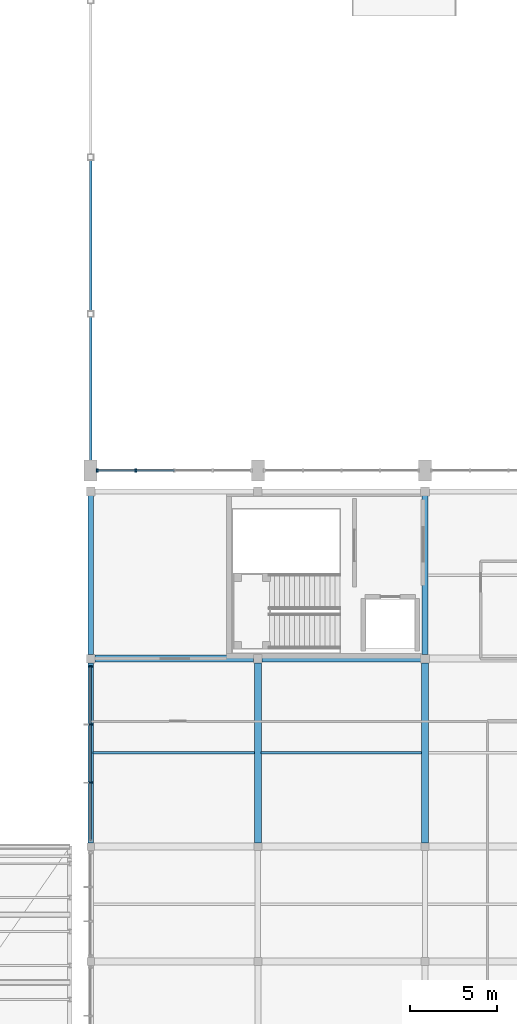
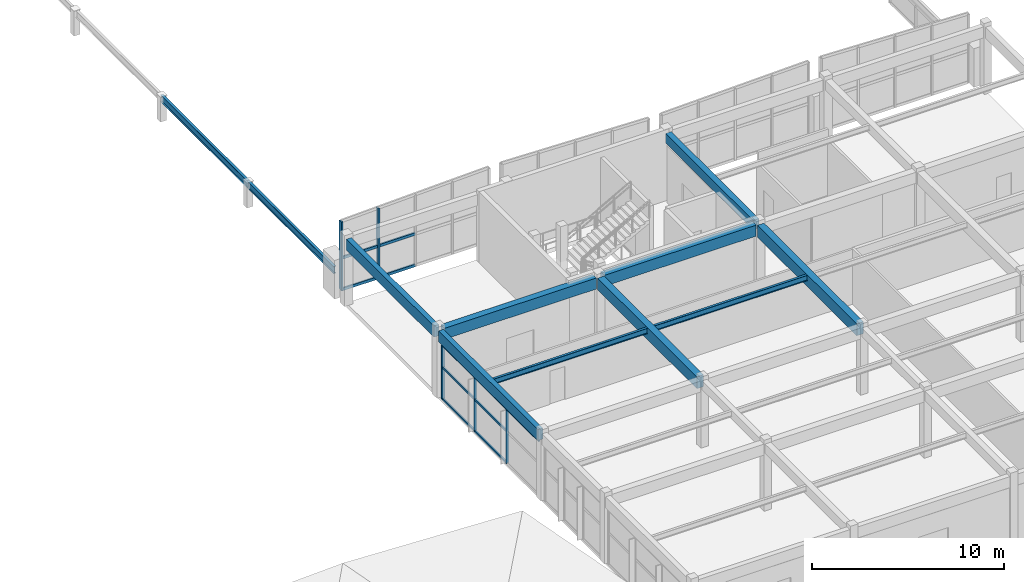
# One storey, part 39 of 89: 14 members, 11 beams, 2 elements without a shape of their own.
"""IFC4 building model written with IfcOpenShell, lengths in metres."""

import ifcopenshell
import ifcopenshell.guid

model = None  # the IFC model being written
_history = None  # IfcOwnerHistory: only IFC2X3 demands one
_inside = {}  # id of a spatial element -> (the spatial element, [elements in it])
_under = {}  # id of a project, library or spatial element -> (it, [spatial elements below it])
_declared = {}  # id of a project -> (the project, [libraries it declares])
_typed = {}  # id of a type object -> (the type object, [elements of that type])
_made_of = {}  # id of a material, layer set ... -> (it, [elements and type objects made of it])


def new_model(schema):
    """Start an empty IFC model of exactly this schema.

    Asked for "IFC4X3", IfcOpenShell would pick the latest addendum, in which some entities
    have other attributes; the version numbers below select the first issue.
    IFC2X3 requires an IfcOwnerHistory on every rooted entity: one is made here for all.
    """
    global model, _history
    if schema == "IFC4X3":
        model = ifcopenshell.file(schema_version=(4, 3, 0, 0))
    else:
        model = ifcopenshell.file(schema=schema)
    _inside.clear()
    _under.clear()
    _declared.clear()
    _typed.clear()
    _made_of.clear()
    _history = None
    if model.schema == "IFC2X3":
        org = make("IfcOrganization", Name="unknown")
        user = make(
            "IfcPersonAndOrganization",
            ThePerson=make("IfcPerson", FamilyName="unknown"),
            TheOrganization=org,
        )
        app = make(
            "IfcApplication",
            ApplicationDeveloper=org,
            Version="unknown",
            ApplicationFullName="unknown",
            ApplicationIdentifier="unknown",
        )
        _history = make(
            "IfcOwnerHistory",
            OwningUser=user,
            OwningApplication=app,
            ChangeAction="ADDED",
            CreationDate=0,
        )
    return model


def make(cls, **values):
    """One entity of the class cls with the attributes given. An attribute that is None is left unset."""
    return model.create_entity(
        cls, **{name: value for name, value in values.items() if value is not None}
    )


def rooted(cls, **values):
    """An entity with a GlobalId (a new one), such as an element, a storey or a relation."""
    return make(cls, GlobalId=ifcopenshell.guid.new(), OwnerHistory=_history, **values)


def si_unit(unit_type, name, prefix=None):
    """IfcSIUnit, for example si_unit("LENGTHUNIT", "METRE", prefix="MILLI")."""
    return make("IfcSIUnit", UnitType=unit_type, Prefix=prefix, Name=name)


def assignment(units):
    """IfcUnitAssignment: the units of a project."""
    return None if units is None else make("IfcUnitAssignment", Units=units)


def point(xyz):
    """IfcCartesianPoint."""
    return None if xyz is None else make("IfcCartesianPoint", Coordinates=xyz)


def direction(xyz):
    """IfcDirection."""
    return None if xyz is None else make("IfcDirection", DirectionRatios=xyz)


def frame(location, z_axis=None, x_axis=None):
    """IfcAxis2Placement3D, a coordinate frame: its origin and axes. An axis left out is left unset."""
    return make(
        "IfcAxis2Placement3D",
        Location=point(location),
        Axis=direction(z_axis),
        RefDirection=direction(x_axis),
    )


def frame_2d(location, x_axis=None):
    """IfcAxis2Placement2D, a coordinate frame in the plane: its origin and x axis."""
    return make(
        "IfcAxis2Placement2D", Location=point(location), RefDirection=direction(x_axis)
    )


def origin():
    """The frame at (0, 0, 0) with its axes left unset."""
    return frame((0.0, 0.0, 0.0))


def origin_2d():
    """The frame at (0, 0) in the plane with its x axis left unset."""
    return frame_2d((0.0, 0.0))


def place(relative_to, where):
    """IfcLocalPlacement: puts the frame where relative to a parent placement (None: the world)."""
    return make(
        "IfcLocalPlacement", PlacementRelTo=relative_to, RelativePlacement=where
    )


def context(
    kind, dimensions, precision=None, world=None, true_north=None, identifier=None
):
    """IfcGeometricRepresentationContext, for example the 3D "Model" context."""
    return make(
        "IfcGeometricRepresentationContext",
        ContextIdentifier=identifier,
        ContextType=kind,
        CoordinateSpaceDimension=dimensions,
        Precision=precision,
        WorldCoordinateSystem=world,
        TrueNorth=true_north,
    )


def subcontext(parent, identifier, kind, view, scale=None):
    """IfcGeometricRepresentationSubContext, for example "Body" below "Model"."""
    return make(
        "IfcGeometricRepresentationSubContext",
        ContextIdentifier=identifier,
        ContextType=kind,
        ParentContext=parent,
        TargetScale=scale,
        TargetView=view,
    )


def project(units=None, contexts=None):
    """IfcProject with its units and contexts."""
    return rooted(
        "IfcProject",
        Name="project",
        RepresentationContexts=contexts,
        UnitsInContext=assignment(units),
    )


def spatial(cls, under=None, at=None, **own):
    """A site, building, storey or space (cls), placed at a placement, below another one or the project."""
    s = rooted(cls, ObjectPlacement=at, **own)
    if under is not None:
        _under.setdefault(under.id(), (under, []))[1].append(s)
    return s


def profile(cls, at=None, kind="AREA", **sizes):
    """A parametric profile (cls). Its sizes go by their IFC names, for example OverallWidth=200.0."""
    return make(cls, ProfileType=kind, Position=at, **sizes)


def rectangle(**sizes):
    """IfcRectangleProfileDef."""
    return profile("IfcRectangleProfileDef", **sizes)


def i_section(**sizes):
    """IfcIShapeProfileDef."""
    return profile("IfcIShapeProfileDef", **sizes)


def extrude(swept, where, along, depth):
    """IfcExtrudedAreaSolid: the profile swept, set in the frame where, extruded along a direction by depth."""
    return make(
        "IfcExtrudedAreaSolid",
        SweptArea=swept,
        Position=where,
        ExtrudedDirection=direction(along),
        Depth=depth,
    )


def shape(context_of_items, identifier, shape_type, items):
    """IfcShapeRepresentation: the items that make up one representation, for example the "Body"."""
    return make(
        "IfcShapeRepresentation",
        ContextOfItems=context_of_items,
        RepresentationIdentifier=identifier,
        RepresentationType=shape_type,
        Items=items,
    )


def material(Name=None, Category=None):
    """IfcMaterial."""
    return make("IfcMaterial", Name=Name, Category=Category)


def material_profile(
    of_material, cross_section, Name=None, Category=None, Priority=None
):
    """IfcMaterialProfile: a cross section and its material."""
    return make(
        "IfcMaterialProfile",
        Name=Name,
        Material=of_material,
        Profile=cross_section,
        Priority=Priority,
        Category=Category,
    )


def profile_set(profiles, Name=None, composite=None):
    """IfcMaterialProfileSet."""
    return make(
        "IfcMaterialProfileSet",
        Name=Name,
        MaterialProfiles=profiles,
        CompositeProfile=composite,
    )


def made_of(thing, what):
    """Note that an element or type object is made of a material, layer set ...; save() writes the relation."""
    if what is not None:
        _made_of.setdefault(what.id(), (what, []))[1].append(thing)
    return thing


def type_object(cls, material=None, **own):
    """A type object (cls), such as IfcWallType, which elements share."""
    return made_of(rooted(cls, **own), material)


def element(
    cls,
    number,
    at=None,
    inside=None,
    cuts=None,
    type_object=None,
    material=None,
    context=None,
    identifier="Body",
    shape_type=None,
    held_by="IfcProductDefinitionShape",
    body=None,
    shapes=None,
    **own,
):
    """One element of the class cls, such as IfcWall. Its Tag is "e" and its number.

    at: its placement. inside: the storey or other place that contains it. cuts: it is an
    opening in that element (IfcRelVoidsElement). A single representation is given by context,
    identifier, shape_type and body (its items); several are given by shapes. held_by: the class
    of the entity that holds the representations. save() writes the other relations.
    """
    e = rooted(cls, Tag="e%d" % number, ObjectPlacement=at, **own)
    if body is not None:
        shapes = [shape(context, identifier, shape_type, body)]
    if shapes is not None:
        e.Representation = make(held_by, Representations=shapes)
    if inside is not None:
        _inside.setdefault(inside.id(), (inside, []))[1].append(e)
    if cuts is not None:
        rooted(
            "IfcRelVoidsElement", RelatingBuildingElement=cuts, RelatedOpeningElement=e
        )
    if type_object is not None:
        _typed.setdefault(type_object.id(), (type_object, []))[1].append(e)
    return made_of(e, material)


def aggregate(whole, parts):
    """IfcRelAggregates: a whole, such as a stair, and the parts it consists of."""
    return rooted("IfcRelAggregates", RelatingObject=whole, RelatedObjects=parts)


def save(model, path):
    """Write the relations noted so far, then the file.

    IfcRelAggregates (storeys below a building ...), IfcRelContainedInSpatialStructure (elements
    in a storey), IfcRelDefinesByType, IfcRelAssociatesMaterial and IfcRelDeclares: one each for
    every whole, place, type object, material and project.
    """
    for whole, parts in _under.values():
        aggregate(whole, parts)
    for where, things in _inside.values():
        rooted(
            "IfcRelContainedInSpatialStructure",
            RelatedElements=things,
            RelatingStructure=where,
        )
    for kind, things in _typed.values():
        rooted("IfcRelDefinesByType", RelatedObjects=things, RelatingType=kind)
    for what, things in _made_of.values():
        rooted("IfcRelAssociatesMaterial", RelatedObjects=things, RelatingMaterial=what)
    for by, libraries in _declared.values():
        rooted("IfcRelDeclares", RelatingContext=by, RelatedDefinitions=libraries)
    model.write(path)


model = new_model("IFC4")

# Units and contexts
model_context = context("Model", 3, precision=1e-05, world=origin(), true_north=direction((0.0, 1.0)))
body_context = subcontext(model_context, "Body", "Model", "MODEL_VIEW")
ifc_project = project(units=[si_unit("LENGTHUNIT", "METRE"), si_unit("AREAUNIT", "SQUARE_METRE"), si_unit("VOLUMEUNIT", "CUBIC_METRE"), si_unit("PLANEANGLEUNIT", "RADIAN"), si_unit("MASSUNIT", "GRAM", prefix="KILO")], contexts=[model_context])

# Site, building, storey
site_placement = place(None, origin())
site = spatial("IfcSite", under=ifc_project, at=site_placement, CompositionType="ELEMENT")
building_placement = place(site_placement, origin())
building = spatial("IfcBuilding", under=site, at=building_placement, Name="Suirenkawa Promenade Aquatics Centre", CompositionType="ELEMENT")
storey_placement = place(building_placement, frame((0.0, 0.0, 9.60009765625)))
storey = spatial("IfcBuildingStorey", under=building, at=storey_placement, Name="L02", CompositionType="ELEMENT", Elevation=9.60009765625)

# Beams
ifc_material_1 = material(Name="Steel IS 2062 E350 (Grade 350)", Category="steel")
ifc_material_profile_1 = material_profile(ifc_material_1, i_section(OverallWidth=0.139892578125, OverallDepth=0.35009765625, WebThickness=0.008056640625, FlangeThickness=0.013916015625, at=origin_2d()), Name="ISMB 350", Category="steel")
ifc_profile_set_1 = profile_set([ifc_material_profile_1], Name="Steel IS 2062 E350 (Grade 350)")
beam_type_1 = type_object("IfcBeamType", Name="BT-JOIST-ISMB350", PredefinedType="JOIST", material=ifc_profile_set_1)
beam_1_placement = place(storey_placement, frame((156.14404296875, 34.199951171875, 4.072998046875), z_axis=(1.0, 0.0, 0.0), x_axis=(0.0, 1.0, 0.0)))
element("IfcBeam", 1, at=beam_1_placement, inside=storey, type_object=beam_type_1, Name="Secondary floor joist JS-03 BM-1782", PredefinedType="JOIST", context=body_context, shape_type="SweptSolid", body=[
    extrude(i_section(OverallWidth=0.139892578125, OverallDepth=0.35009765625, WebThickness=0.008056640625, FlangeThickness=0.013916015625, at=origin_2d()), origin(), (0.0, 0.0, 1.0), 9.261962890625),
])
beam_2_placement = place(storey_placement, frame((165.7939453125, 34.199951171875, 4.072998046875), z_axis=(1.0, 0.0, 0.0), x_axis=(0.0, 1.0, 0.0)))
element("IfcBeam", 2, at=beam_2_placement, inside=storey, type_object=beam_type_1, Name="Secondary floor joist JS-03 BM-1785", PredefinedType="JOIST", context=body_context, shape_type="SweptSolid", body=[
    extrude(i_section(OverallWidth=0.139892578125, OverallDepth=0.35009765625, WebThickness=0.008056640625, FlangeThickness=0.013916015625, at=origin_2d()), origin(), (0.0, 0.0, 1.0), 9.212158203125),
])
ifc_material_2 = material(Name="Concrete M35", Category="concrete")
ifc_material_profile_2 = material_profile(ifc_material_2, rectangle(XDim=0.35009765625, YDim=0.60009765625, at=origin_2d()), Name="RC BM 350x600", Category="concrete")
ifc_profile_set_2 = profile_set([ifc_material_profile_2], Name="Concrete M35")
beam_type_2 = type_object("IfcBeamType", Name="BT-RC-350x600", PredefinedType="BEAM", material=ifc_profile_set_2)
beam_3_placement = place(storey_placement, frame((175.199951171875, 39.843994140625, 3.949951171875), z_axis=(0.0, 1.0, 0.0), x_axis=(-1.0, 0.0, 0.0)))
element("IfcBeam", 3, at=beam_3_placement, inside=storey, type_object=beam_type_2, Name="Floor beam BM-02 BM-1771", PredefinedType="BEAM", context=body_context, shape_type="SweptSolid", body=[
    extrude(rectangle(XDim=0.35009765625, YDim=0.60009765625, at=origin_2d()), origin(), (0.0, 0.0, 1.0), 9.112060546875),
])
ifc_material_profile_3 = material_profile(ifc_material_2, rectangle(XDim=0.39990234375, YDim=0.699951171875, at=origin_2d()), Name="RC BM 400x700", Category="concrete")
ifc_profile_set_3 = profile_set([ifc_material_profile_3], Name="Concrete M35")
beam_type_3 = type_object("IfcBeamType", Name="BT-RC-400x700", PredefinedType="BEAM", material=ifc_profile_set_3)
for number, where, z_axis, x_axis, name in (
    (4, (156.243896484375, 39.60009765625, 3.89990234375), (1.0, 0.0, 0.0), (0.0, 1.0, 0.0), "Floor beam BM-04 BM-1753"),
    (5, (165.843994140625, 39.60009765625, 3.89990234375), (1.0, 0.0, 0.0), (0.0, 1.0, 0.0), "Floor beam BM-04 BM-1754"),
):
    element("IfcBeam", number, at=place(storey_placement, frame(where, z_axis=z_axis, x_axis=x_axis)), inside=storey, type_object=beam_type_3, Name=name, PredefinedType="BEAM", context=body_context, shape_type="SweptSolid", body=[
        extrude(rectangle(XDim=0.39990234375, YDim=0.699951171875, at=origin_2d()), origin(), (0.0, 0.0, 1.0), 9.112060546875),
    ])
ifc_material_3 = material(Name="Concrete M40", Category="concrete")
ifc_material_profile_4 = material_profile(ifc_material_3, rectangle(XDim=0.39990234375, YDim=0.75, at=origin_2d()), Name="RC BM 400x750", Category="concrete")
ifc_profile_set_4 = profile_set([ifc_material_profile_4], Name="Concrete M40")
beam_type_4 = type_object("IfcBeamType", Name="BT-RC-400x750", PredefinedType="BEAM", material=ifc_profile_set_4)
for number, where, z_axis, x_axis, name in (
    (6, (165.60009765625, 29.01904296875, 3.875), (0.0, 1.0, 0.0), (-1.0, 0.0, 0.0), "Floor beam BM-05 BM-1767"),
    (7, (175.199951171875, 29.01904296875, 3.875), (0.0, 1.0, 0.0), (-1.0, 0.0, 0.0), "Floor beam BM-05 BM-1770"),
):
    element("IfcBeam", number, at=place(storey_placement, frame(where, z_axis=z_axis, x_axis=x_axis)), inside=storey, type_object=beam_type_4, Name=name, PredefinedType="BEAM", context=body_context, shape_type="SweptSolid", body=[
        extrude(rectangle(XDim=0.39990234375, YDim=0.75, at=origin_2d()), origin(), (0.0, 0.0, 1.0), 10.3369140625),
    ])
ifc_material_profile_5 = material_profile(ifc_material_3, rectangle(XDim=0.300048828125, YDim=0.699951171875, at=origin_2d()), Name="RC SPANDREL 300x700", Category="concrete")
ifc_profile_set_5 = profile_set([ifc_material_profile_5], Name="Concrete M40")
beam_type_5 = type_object("IfcBeamType", Name="BT-SPANDREL-300x700", PredefinedType="SPANDREL", material=ifc_profile_set_5)
beam_4_placement = place(storey_placement, frame((156.0, 29.01904296875, 3.89990234375), z_axis=(0.0, 1.0, 0.0), x_axis=(-1.0, 0.0, 0.0)))
element("IfcBeam", 8, at=beam_4_placement, inside=storey, type_object=beam_type_5, Name="Floor beam SP-01 BM-1763", PredefinedType="SPANDREL", context=body_context, shape_type="SweptSolid", body=[
    extrude(rectangle(XDim=0.300048828125, YDim=0.699951171875, at=origin_2d()), origin(), (0.0, 0.0, 1.0), 10.3369140625),
])
beam_5_placement = place(storey_placement, frame((156.0, 39.843994140625, 3.89990234375), z_axis=(0.0, 1.0, 0.0), x_axis=(-1.0, 0.0, 0.0)))
element("IfcBeam", 9, at=beam_5_placement, inside=storey, type_object=beam_type_5, Name="Floor beam SP-01 BM-1764", PredefinedType="SPANDREL", context=body_context, shape_type="SweptSolid", body=[
    extrude(rectangle(XDim=0.300048828125, YDim=0.699951171875, at=origin_2d()), origin(), (0.0, 0.0, 1.0), 9.112060546875),
])
ifc_material_profile_6 = material_profile(ifc_material_1, i_section(OverallWidth=0.14990234375, OverallDepth=0.449951171875, WebThickness=0.009033203125, FlangeThickness=0.01708984375, at=origin_2d()), Name="ISMB 450", Category="steel")
ifc_profile_set_6 = profile_set([ifc_material_profile_6], Name="Steel IS 2062 E350 (Grade 350)")
beam_type_6 = type_object("IfcBeamType", Name="BT-STL-ISMB450", PredefinedType="BEAM", material=ifc_profile_set_6)
for number, where, z_axis, x_axis, name in (
    (10, (156.0, 50.39990234375, 1.375), (0.0, 1.0, 0.0), (-1.0, 0.0, 0.0), "Diving hall wind girt BM-08 BM-1353"),
    (11, (156.0, 59.39990234375, 1.375), (0.0, 1.0, 0.0), (-1.0, 0.0, 0.0), "Diving hall wind girt BM-08 BM-1354"),
):
    element("IfcBeam", number, at=place(storey_placement, frame(where, z_axis=z_axis, x_axis=x_axis)), inside=storey, type_object=beam_type_6, Name=name, PredefinedType="BEAM", context=body_context, shape_type="SweptSolid", body=[
        extrude(i_section(OverallWidth=0.14990234375, OverallDepth=0.449951171875, WebThickness=0.009033203125, FlangeThickness=0.01708984375, at=origin_2d()), origin(), (0.0, 0.0, 1.0), 9.0),
    ])

# Curtain wall, members
ifc_material_4 = material(Name="Anodised aluminium 6063-T6", Category="aluminium")
curtain_wall_type_1 = type_object("IfcCurtainWallType", Name="CWAT-V4WL02-40", PredefinedType="NOTDEFINED", material=ifc_material_4)
curtain_wall_1_placement = place(storey_placement, origin())
curtain_wall_1 = element("IfcCurtainWall", 12, at=curtain_wall_1_placement, inside=storey, type_object=curtain_wall_type_1, Name="Curtain wall CWA-40 CW-083", PredefinedType="NOTDEFINED")
ifc_material_profile_7 = material_profile(ifc_material_4, rectangle(XDim=0.090087890625, YDim=0.159912109375, at=origin_2d()), Name="ALU MULL 90x160", Category="aluminium")
ifc_profile_set_7 = profile_set([ifc_material_profile_7], Name="Anodised aluminium 6063-T6")
member_type_1 = type_object("IfcMemberType", Name="CWM-160x90", PredefinedType="MULLION", material=ifc_profile_set_7)
member_1_placement = place(storey_placement, frame((156.0, 32.48291015625, 0.0), z_axis=(0.0, 0.0, 1.0), x_axis=(0.0, 1.0, 0.0)))
member_1 = element("IfcMember", 13, at=member_1_placement, type_object=member_type_1, Name="Mullion ML-03 CWM-01636", PredefinedType="MULLION", context=body_context, shape_type="SweptSolid", body=[
    extrude(rectangle(XDim=0.090087890625, YDim=0.159912109375, at=origin_2d()), origin(), (0.0, 0.0, 1.0), 3.419921875),
])
member_2_placement = place(storey_placement, frame((156.0, 35.81689453125, 0.0), z_axis=(0.0, 0.0, 1.0), x_axis=(0.0, 1.0, 0.0)))
member_2 = element("IfcMember", 14, at=member_2_placement, type_object=member_type_1, Name="Mullion ML-03 CWM-01637", PredefinedType="MULLION", context=body_context, shape_type="SweptSolid", body=[
    extrude(rectangle(XDim=0.090087890625, YDim=0.159912109375, at=origin_2d()), origin(), (0.0, 0.0, 1.0), 3.419921875),
])
member_3_placement = place(storey_placement, frame((156.0, 39.15087890625, 0.0), z_axis=(0.0, 0.0, 1.0), x_axis=(0.0, 1.0, 0.0)))
member_3 = element("IfcMember", 15, at=member_3_placement, type_object=member_type_1, Name="Mullion ML-03 CWM-01638", PredefinedType="MULLION", context=body_context, shape_type="SweptSolid", body=[
    extrude(rectangle(XDim=0.090087890625, YDim=0.159912109375, at=origin_2d()), origin(), (0.0, 0.0, 1.0), 3.419921875),
])

curtain_wall_type_2 = type_object("IfcCurtainWallType", Name="CWAT-V2S-16", PredefinedType="NOTDEFINED", material=ifc_material_4)
curtain_wall_2_placement = place(storey_placement, origin())
curtain_wall_2 = element("IfcCurtainWall", 16, at=curtain_wall_2_placement, inside=storey, type_object=curtain_wall_type_2, Name="Curtain wall CWA-16 CW-035", PredefinedType="NOTDEFINED")
ifc_material_profile_8 = material_profile(ifc_material_4, rectangle(XDim=0.10009765625, YDim=0.219970703125, at=origin_2d()), Name="ALU MULL 100x220", Category="aluminium")
ifc_profile_set_8 = profile_set([ifc_material_profile_8], Name="Anodised aluminium 6063-T6")
member_type_2 = type_object("IfcMemberType", Name="CWM-220x100", PredefinedType="MULLION", material=ifc_profile_set_8)
member_4_placement = place(storey_placement, frame((158.5869140625, 50.39990234375, 0.0), z_axis=(0.0, 0.0, 1.0), x_axis=(-1.0, 0.0, 0.0)))
member_4 = element("IfcMember", 17, at=member_4_placement, type_object=member_type_2, Name="Mullion ML-01 CWM-00720", PredefinedType="MULLION", context=body_context, shape_type="SweptSolid", body=[
    extrude(rectangle(XDim=0.10009765625, YDim=0.219970703125, at=origin_2d()), origin(), (0.0, 0.0, 1.0), 4.4248046875),
])
member_5_placement = place(storey_placement, frame((156.3740234375, 50.39990234375, 0.0), z_axis=(0.0, 0.0, 1.0), x_axis=(-1.0, 0.0, 0.0)))
member_5 = element("IfcMember", 18, at=member_5_placement, type_object=member_type_2, Name="Mullion ML-01 CWM-00721", PredefinedType="MULLION", context=body_context, shape_type="SweptSolid", body=[
    extrude(rectangle(XDim=0.10009765625, YDim=0.219970703125, at=origin_2d()), origin(), (0.0, 0.0, 1.0), 4.349853515625),
])

# Member
ifc_material_profile_9 = material_profile(ifc_material_4, rectangle(XDim=0.090087890625, YDim=0.1298828125, at=origin_2d()), Name="ALU TRAN 90x130", Category="aluminium")
ifc_profile_set_9 = profile_set([ifc_material_profile_9], Name="Anodised aluminium 6063-T6")
member_type_3 = type_object("IfcMemberType", Name="CWT-130x90", PredefinedType="USERDEFINED", material=ifc_profile_set_9)
member_6_placement = place(storey_placement, frame((156.0, 32.48291015625, 0.0), z_axis=(0.0, 1.0, 0.0), x_axis=(-1.0, 0.0, 0.0)))
member_6 = element("IfcMember", 19, at=member_6_placement, type_object=member_type_3, Name="Transom TR-03 CWT-01640", ObjectType="TRANSOM", PredefinedType="USERDEFINED", context=body_context, shape_type="SweptSolid", body=[
    extrude(rectangle(XDim=0.090087890625, YDim=0.1298828125, at=origin_2d()), origin(), (0.0, 0.0, 1.0), 3.333984375),
])

member_7_placement = place(storey_placement, frame((156.0, 35.81689453125, 0.0), z_axis=(0.0, 1.0, 0.0), x_axis=(-1.0, 0.0, 0.0)))
member_7 = element("IfcMember", 20, at=member_7_placement, type_object=member_type_3, Name="Transom TR-03 CWT-01641", ObjectType="TRANSOM", PredefinedType="USERDEFINED", context=body_context, shape_type="SweptSolid", body=[
    extrude(rectangle(XDim=0.090087890625, YDim=0.1298828125, at=origin_2d()), origin(), (0.0, 0.0, 1.0), 3.333984375),
])

member_8_placement = place(storey_placement, frame((156.0, 32.48291015625, 2.0), z_axis=(0.0, 1.0, 0.0), x_axis=(-1.0, 0.0, 0.0)))
member_8 = element("IfcMember", 21, at=member_8_placement, type_object=member_type_3, Name="Transom TR-03 CWT-01643", ObjectType="TRANSOM", PredefinedType="USERDEFINED", context=body_context, shape_type="SweptSolid", body=[
    extrude(rectangle(XDim=0.090087890625, YDim=0.1298828125, at=origin_2d()), origin(), (0.0, 0.0, 1.0), 3.333984375),
])

member_9_placement = place(storey_placement, frame((156.0, 35.81689453125, 2.0), z_axis=(0.0, 1.0, 0.0), x_axis=(-1.0, 0.0, 0.0)))
member_9 = element("IfcMember", 22, at=member_9_placement, type_object=member_type_3, Name="Transom TR-03 CWT-01644", ObjectType="TRANSOM", PredefinedType="USERDEFINED", context=body_context, shape_type="SweptSolid", body=[
    extrude(rectangle(XDim=0.090087890625, YDim=0.1298828125, at=origin_2d()), origin(), (0.0, 0.0, 1.0), 3.333984375),
])

member_10_placement = place(storey_placement, frame((156.0, 29.14892578125, 3.419921875), z_axis=(0.0, 1.0, 0.0), x_axis=(-1.0, 0.0, 0.0)))
member_10 = element("IfcMember", 23, at=member_10_placement, type_object=member_type_3, Name="Roofline transom TR-03 CWT-01645", ObjectType="TRANSOM", PredefinedType="USERDEFINED", context=body_context, shape_type="SweptSolid", body=[
    extrude(rectangle(XDim=0.090087890625, YDim=0.1298828125, at=origin_2d()), origin(), (0.0, 0.0, 1.0), 10.001953125),
])

aggregate(curtain_wall_1, [member_1, member_2, member_3, member_6, member_7, member_8, member_9, member_10])

ifc_material_profile_10 = material_profile(ifc_material_4, rectangle(XDim=0.10009765625, YDim=0.169921875, at=origin_2d()), Name="ALU TRAN 100x170", Category="aluminium")
ifc_profile_set_10 = profile_set([ifc_material_profile_10], Name="Anodised aluminium 6063-T6")
member_type_4 = type_object("IfcMemberType", Name="CWT-170x100", PredefinedType="USERDEFINED", material=ifc_profile_set_10)
member_11_placement = place(storey_placement, frame((160.800048828125, 50.39990234375, 0.0), z_axis=(-1.0, 0.0, 0.0), x_axis=(0.0, -1.0, 0.0)))
member_11 = element("IfcMember", 24, at=member_11_placement, type_object=member_type_4, Name="Transom TR-01 CWT-00724", ObjectType="TRANSOM", PredefinedType="USERDEFINED", context=body_context, shape_type="SweptSolid", body=[
    extrude(rectangle(XDim=0.10009765625, YDim=0.169921875, at=origin_2d()), origin(), (0.0, 0.0, 1.0), 2.213134765625),
])

member_12_placement = place(storey_placement, frame((158.5869140625, 50.39990234375, 0.0), z_axis=(-1.0, 0.0, 0.0), x_axis=(0.0, -1.0, 0.0)))
member_12 = element("IfcMember", 25, at=member_12_placement, type_object=member_type_4, Name="Transom TR-01 CWT-00725", ObjectType="TRANSOM", PredefinedType="USERDEFINED", context=body_context, shape_type="SweptSolid", body=[
    extrude(rectangle(XDim=0.10009765625, YDim=0.169921875, at=origin_2d()), origin(), (0.0, 0.0, 1.0), 2.212890625),
])

member_13_placement = place(storey_placement, frame((160.800048828125, 50.39990234375, 2.0), z_axis=(-1.0, 0.0, 0.0), x_axis=(0.0, -1.0, 0.0)))
member_13 = element("IfcMember", 26, at=member_13_placement, type_object=member_type_4, Name="Transom TR-01 CWT-00728", ObjectType="TRANSOM", PredefinedType="USERDEFINED", context=body_context, shape_type="SweptSolid", body=[
    extrude(rectangle(XDim=0.10009765625, YDim=0.169921875, at=origin_2d()), origin(), (0.0, 0.0, 1.0), 2.213134765625),
])

member_14_placement = place(storey_placement, frame((158.5869140625, 50.39990234375, 2.0), z_axis=(-1.0, 0.0, 0.0), x_axis=(0.0, -1.0, 0.0)))
member_14 = element("IfcMember", 27, at=member_14_placement, type_object=member_type_4, Name="Transom TR-01 CWT-00729", ObjectType="TRANSOM", PredefinedType="USERDEFINED", context=body_context, shape_type="SweptSolid", body=[
    extrude(rectangle(XDim=0.10009765625, YDim=0.169921875, at=origin_2d()), origin(), (0.0, 0.0, 1.0), 2.212890625),
])

aggregate(curtain_wall_2, [member_4, member_5, member_11, member_12, member_13, member_14])

save(model, "model.ifc")
